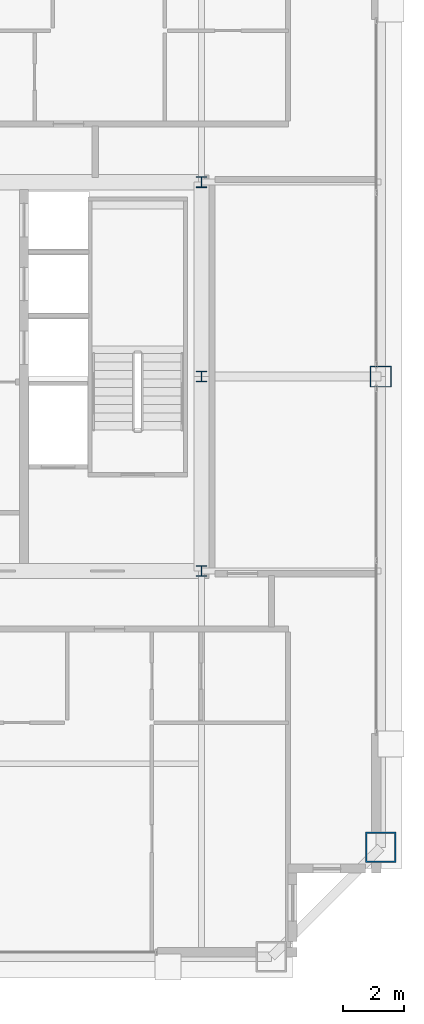
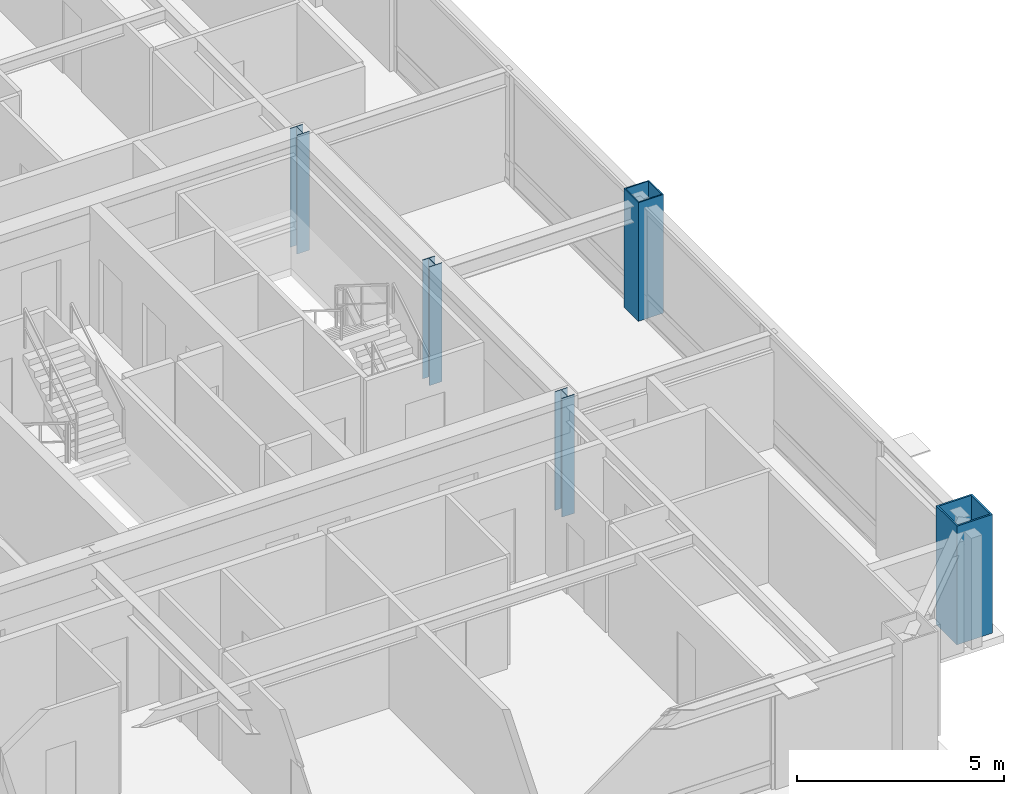
# One storey, part 2 of 35: 5 columns.
"""IFC4 building model written with IfcOpenShell, lengths in metres."""

from ifc_helpers import new_model, si_unit, direction, frame, origin, origin_2d, place, context, subcontext, project, spatial, hollow_rectangle, i_section, extrude, source, transform, mapped, material, material_profile, profile_set, type_object, element, save


model = new_model("IFC4")

# Units and contexts
model_context = context("Model", 3, precision=1e-05, world=origin(), true_north=direction((0.0, 1.0)))
body_context = subcontext(model_context, "Body", "Model", "MODEL_VIEW")
ifc_project = project(units=[si_unit("LENGTHUNIT", "METRE"), si_unit("AREAUNIT", "SQUARE_METRE"), si_unit("VOLUMEUNIT", "CUBIC_METRE"), si_unit("PLANEANGLEUNIT", "RADIAN"), si_unit("MASSUNIT", "GRAM", prefix="KILO"), si_unit("THERMODYNAMICTEMPERATUREUNIT", "KELVIN"), si_unit("POWERUNIT", "WATT")], contexts=[model_context])

# Site, building, storey
site_placement = place(None, origin())
site = spatial("IfcSite", under=ifc_project, at=site_placement, CompositionType="ELEMENT")
building_placement = place(site_placement, origin())
building = spatial("IfcBuilding", under=site, at=building_placement, Name="Yuzanri Waterfront Tower", CompositionType="ELEMENT")
storey_placement = place(building_placement, frame((0.0, 0.0, 289.10009765625)))
storey = spatial("IfcBuildingStorey", under=building, at=storey_placement, Name="L77", CompositionType="ELEMENT", Elevation=289.10009765625)

# Columns
ifc_material_1 = material(Name="Steel Q355B", Category="steel")
ifc_material_profile_1 = material_profile(ifc_material_1, hollow_rectangle(XDim=0.699951171875, YDim=0.699951171875, WallThickness=0.031982421875, at=origin_2d()), Name="RHS 700x700x32")
ifc_profile_set_1 = profile_set([ifc_material_profile_1], Name="Steel Q355B")
column_type_1 = type_object("IfcColumnType", Name="Frame Column Q355B RHS 700x700x32", PredefinedType="COLUMN", material=ifc_profile_set_1)
shared_shape_1 = source(origin(), body_context, "Body", "SweptSolid", [
    extrude(hollow_rectangle(XDim=0.699951171875, YDim=0.699951171875, WallThickness=0.031982421875, at=origin_2d()), origin(), (0.0, 0.0, 1.0), 3.5),
])
column_1_placement = place(storey_placement, frame((56.10009765625, 25.800048828125, 0.0), z_axis=(0.0, 0.0, 1.0), x_axis=(1.0, 0.0, 0.0)))
element("IfcColumn", 1, at=column_1_placement, inside=storey, type_object=column_type_1, Name="L77 Perimeter Frame Column E2", PredefinedType="COLUMN", context=body_context, shape_type="MappedRepresentation", body=[
    mapped(shared_shape_1, transform((0.0, 0.0, 0.0), scale=1.0)),
])
ifc_material_2 = material(Name="Steel Q355B", Category="steel")
ifc_material_profile_2 = material_profile(ifc_material_2, i_section(OverallWidth=0.35009765625, OverallDepth=0.35009765625, WebThickness=0.011962890625, FlangeThickness=0.01904296875, at=origin_2d()), Name="HW 350x350x12x19")
ifc_profile_set_2 = profile_set([ifc_material_profile_2], Name="Steel Q355B")
column_type_2 = type_object("IfcColumnType", Name="Core Post Q355B HW 350x350x12x19", PredefinedType="COLUMN", material=ifc_profile_set_2)
shared_shape_2 = source(origin(), body_context, "Body", "SweptSolid", [
    extrude(i_section(OverallWidth=0.35009765625, OverallDepth=0.35009765625, WebThickness=0.011962890625, FlangeThickness=0.01904296875, at=origin_2d()), origin(), (0.0, 0.0, 1.0), 3.5),
])
for number, where, z_axis, x_axis, name in (
    (2, (50.199951171875, 19.39990234375, 0.0), (0.0, 0.0, 1.0), (1.0, 0.0, 0.0), "L77 Core Boundary Column CP3"),
    (3, (50.199951171875, 25.800048828125, 0.0), (0.0, 0.0, 1.0), (1.0, 0.0, 0.0), "L77 Core Boundary Column CP5"),
    (4, (50.199951171875, 32.199951171875, 0.0), (0.0, 0.0, 1.0), (1.0, 0.0, 0.0), "L77 Core Boundary Column CP8"),
):
    element("IfcColumn", number, at=place(storey_placement, frame(where, z_axis=z_axis, x_axis=x_axis)), inside=storey, type_object=column_type_2, Name=name, PredefinedType="COLUMN", context=body_context, shape_type="MappedRepresentation", body=[
        mapped(shared_shape_2, transform((0.0, 0.0, 0.0), scale=1.0)),
    ])
ifc_material_3 = material(Name="Steel Q390GJC", Category="steel")
ifc_material_profile_3 = material_profile(ifc_material_3, hollow_rectangle(XDim=1.0, YDim=1.0, WallThickness=0.048095703125, at=origin_2d()), Name="RHS 1000x1000x48")
ifc_profile_set_3 = profile_set([ifc_material_profile_3], Name="Steel Q390GJC")
column_type_3 = type_object("IfcColumnType", Name="Mega Column Q390GJC RHS 1000x1000x48", PredefinedType="COLUMN", material=ifc_profile_set_3)
shared_shape_3 = source(origin(), body_context, "Body", "SweptSolid", [
    extrude(hollow_rectangle(XDim=1.0, YDim=1.0, WallThickness=0.048095703125, at=origin_2d()), origin(), (0.0, 0.0, 1.0), 3.5),
])
column_2_placement = place(storey_placement, frame((56.10009765625, 10.300048828125, 0.0), z_axis=(0.0, 0.0, 1.0), x_axis=(1.0, 0.0, 0.0)))
element("IfcColumn", 5, at=column_2_placement, inside=storey, type_object=column_type_3, Name="L77 Perimeter Mega Column E1", PredefinedType="COLUMN", context=body_context, shape_type="MappedRepresentation", body=[
    mapped(shared_shape_3, transform((0.0, 0.0, 0.0), scale=1.0)),
])

save(model, "model.ifc")
